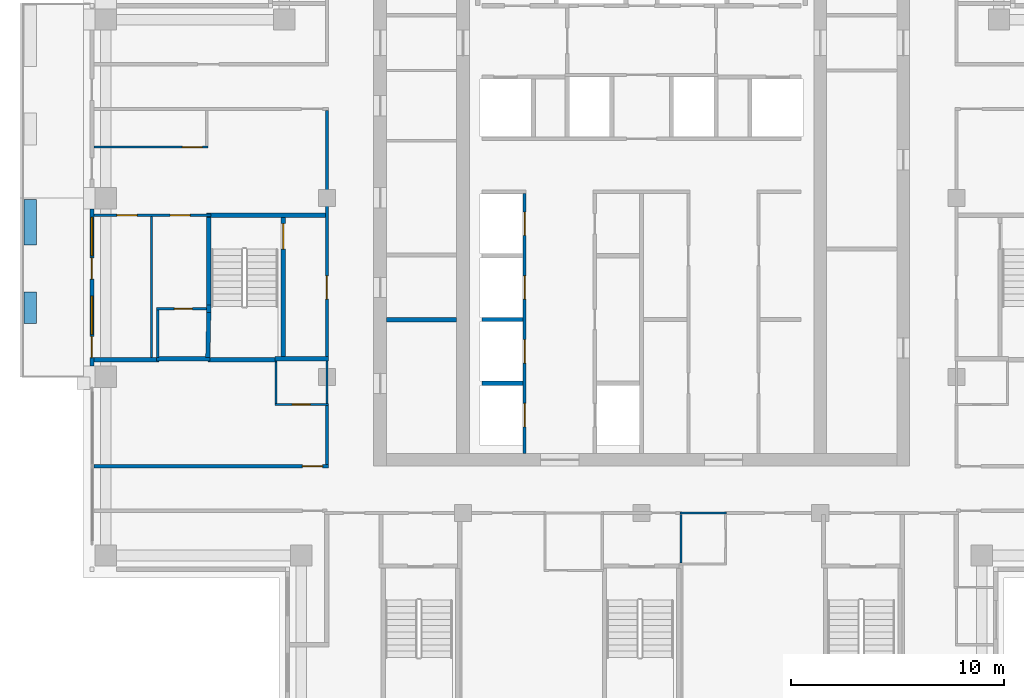
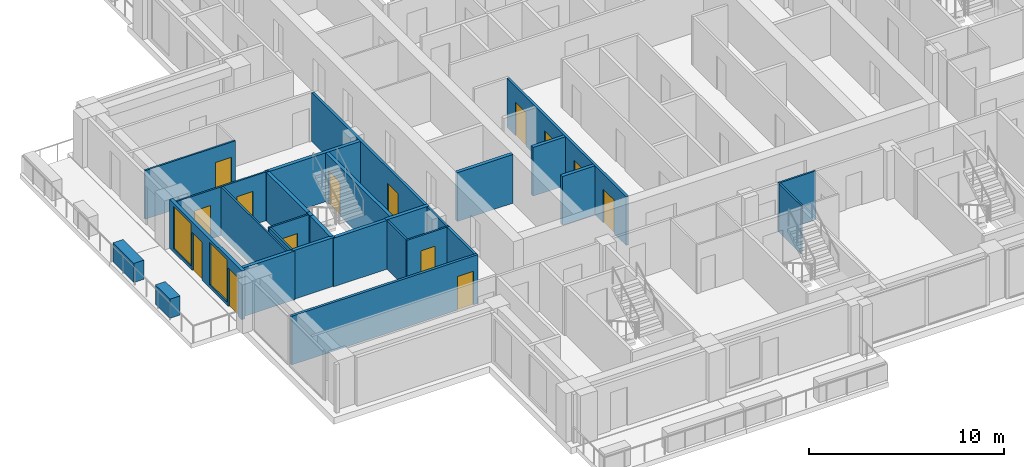
# One storey, part 7 of 17: 29 walls, 14 doors, 2 windows, 16 openings.
"""IFC4 building model written with IfcOpenShell, lengths in metres."""

from ifc_helpers import new_model, si_unit, direction, frame, frame_2d, origin, place, context, subcontext, project, spatial, rectangle, extrude, material, layer, layer_set, type_object, element, fill, save


model = new_model("IFC4")

# Units and contexts
model_context = context("Model", 3, precision=1e-05, world=origin(), true_north=direction((0.0, 1.0)))
body_context = subcontext(model_context, "Body", "Model", "MODEL_VIEW")
ifc_project = project(units=[si_unit("LENGTHUNIT", "METRE"), si_unit("AREAUNIT", "SQUARE_METRE"), si_unit("VOLUMEUNIT", "CUBIC_METRE"), si_unit("PLANEANGLEUNIT", "RADIAN"), si_unit("MASSUNIT", "GRAM", prefix="KILO")], contexts=[model_context])

# Site, building, storey
site_placement = place(None, origin())
site = spatial("IfcSite", under=ifc_project, at=site_placement, CompositionType="ELEMENT")
building_placement = place(site_placement, origin())
building = spatial("IfcBuilding", under=site, at=building_placement, Name="Vermilion Ogive Tower", CompositionType="ELEMENT")
storey_placement = place(building_placement, frame((0.0, 0.0, 196.25)))
storey = spatial("IfcBuildingStorey", under=building, at=storey_placement, Name="L51", CompositionType="ELEMENT", Elevation=196.25)

# Wall
ifc_material_1 = material(Name="Gypsum board partition on steel studs", Category="steel")
ifc_layer_1 = layer(ifc_material_1, 0.10009765625)
ifc_layer_set_1 = layer_set([ifc_layer_1], Name="Partition 100 bath")
wall_type_1 = type_object("IfcWallType", Name="Partition 100 bath", PredefinedType="PARTITIONING", material=ifc_layer_set_1)
wall_1_placement = place(storey_placement, frame((1.800048828125, -10.60009765625, 0.0), z_axis=(0.0, 0.0, 1.0), x_axis=(1.0, 0.0, 0.0)))
element("IfcWall", 1, at=wall_1_placement, inside=storey, type_object=wall_type_1, Name="L51-W-W015", PredefinedType="PARTITIONING", context=body_context, shape_type="SweptSolid", body=[
    extrude(rectangle(XDim=2.199951171875, YDim=0.10009765625, at=frame_2d((1.10009765625, 0.0))), origin(), (0.0, 0.0, 1.0), 3.050048828125),
])

# Wall, opening, door
wall_2_placement = place(storey_placement, frame((-17.25, -5.5, 0.0), z_axis=(0.0, 0.0, 1.0), x_axis=(1.0, 0.0, 0.0)))
wall_2 = element("IfcWall", 2, at=wall_2_placement, inside=storey, type_object=wall_type_1, Name="L51-W-W021", PredefinedType="PARTITIONING", context=body_context, shape_type="SweptSolid", body=[
    extrude(rectangle(XDim=2.52490234375, YDim=0.10009765625, at=frame_2d((1.262451171875, 0.0))), origin(), (0.0, 0.0, 1.0), 3.050048828125),
])
opening_1_placement = place(wall_2_placement, frame((0.824951171875, 0.0, 0.0)))
opening_1 = element("IfcOpeningElement", 3, at=opening_1_placement, cuts=wall_2, Name="Opening D4G3003", PredefinedType="OPENING", context=body_context, shape_type="SweptSolid", body=[
    extrude(rectangle(XDim=0.85009765625, YDim=2.10009765625, at=frame_2d((0.425048828125, 1.050048828125))), frame((0.0, 0.06005859375, 0.0), z_axis=(0.0, -1.0, 0.0), x_axis=(1.0, 0.0, 0.0)), (0.0, 0.0, 1.0), 0.1201171875),
])
ifc_material_2 = material(Name="Timber door leaf", Category="wood")
door_type_1 = type_object("IfcDoorType", Name="Bath door 850 x 2100 FD30", OperationType="SINGLE_SWING_LEFT", PredefinedType="DOOR", material=ifc_material_2)
door_1_placement = place(opening_1_placement, origin())
door_1 = element("IfcDoor", 4, at=door_1_placement, inside=storey, type_object=door_type_1, Name="L51-D-D003", OperationType="SINGLE_SWING_LEFT", OverallHeight=2.10009765625, OverallWidth=0.85009765625, PredefinedType="DOOR", context=body_context, shape_type="SweptSolid", body=[
    extrude(rectangle(XDim=0.85009765625, YDim=2.10009765625, at=frame_2d((0.425048828125, 1.050048828125))), frame((0.0, 0.02490234375, 0.0), z_axis=(0.0, -1.0, 0.0), x_axis=(1.0, 0.0, 0.0)), (0.0, 0.0, 1.0), 0.050048828125),
])
fill(opening_1, door_1)

wall_3_placement = place(storey_placement, frame((-22.800048828125, -1.0, 0.0), z_axis=(0.0, 0.0, 1.0), x_axis=(1.0, 0.0, 0.0)))
wall_3 = element("IfcWall", 5, at=wall_3_placement, inside=storey, type_object=wall_type_1, Name="L51-W-W031", PredefinedType="PARTITIONING", context=body_context, shape_type="SweptSolid", body=[
    extrude(rectangle(XDim=2.35009765625, YDim=0.10009765625, at=frame_2d((1.175048828125, 0.0))), origin(), (0.0, 0.0, 1.0), 3.050048828125),
])
opening_2_placement = place(wall_3_placement, frame((0.824951171875, 0.0, 0.0)))
opening_2 = element("IfcOpeningElement", 6, at=opening_2_placement, cuts=wall_3, Name="Opening D4G3008", PredefinedType="OPENING", context=body_context, shape_type="SweptSolid", body=[
    extrude(rectangle(XDim=0.85009765625, YDim=2.10009765625, at=frame_2d((0.425048828125, 1.050048828125))), frame((0.0, 0.06005859375, 0.0), z_axis=(0.0, -1.0, 0.0), x_axis=(1.0, 0.0, 0.0)), (0.0, 0.0, 1.0), 0.1201171875),
])
door_2_placement = place(opening_2_placement, origin())
door_2 = element("IfcDoor", 7, at=door_2_placement, inside=storey, type_object=door_type_1, Name="L51-D-D008", OperationType="SINGLE_SWING_RIGHT", OverallHeight=2.10009765625, OverallWidth=0.85009765625, PredefinedType="DOOR", context=body_context, shape_type="SweptSolid", body=[
    extrude(rectangle(XDim=0.85009765625, YDim=2.10009765625, at=frame_2d((0.425048828125, 1.050048828125))), frame((0.0, 0.02490234375, 0.0), z_axis=(0.0, -1.0, 0.0), x_axis=(1.0, 0.0, 0.0)), (0.0, 0.0, 1.0), 0.050048828125),
])
fill(opening_2, door_2)

# Walls
wall_4_placement = place(storey_placement, frame((-22.75, -3.300048828125, 0.0), z_axis=(0.0, 0.0, 1.0), x_axis=(0.0, 1.0, 0.0)))
element("IfcWall", 8, at=wall_4_placement, inside=storey, type_object=wall_type_1, Name="L51-W-W047", PredefinedType="PARTITIONING", context=body_context, shape_type="SweptSolid", body=[
    extrude(rectangle(XDim=2.25, YDim=0.10009765625, at=frame_2d((1.125, 0.0))), origin(), (0.0, 0.0, 1.0), 3.050048828125),
])
wall_5_placement = place(storey_placement, frame((-17.199951171875, -5.449951171875, 0.0), z_axis=(0.0, 0.0, 1.0), x_axis=(0.0, 1.0, 0.0)))
element("IfcWall", 9, at=wall_5_placement, inside=storey, type_object=wall_type_1, Name="L51-W-W051", PredefinedType="PARTITIONING", context=body_context, shape_type="SweptSolid", body=[
    extrude(rectangle(XDim=1.949951171875, YDim=0.10009765625, at=frame_2d((0.97509765625, 0.0))), origin(), (0.0, 0.0, 1.0), 3.050048828125),
])
wall_6_placement = place(storey_placement, frame((-14.800048828125, -5.449951171875, 0.0), z_axis=(0.0, 0.0, 1.0), x_axis=(0.0, 1.0, 0.0)))
element("IfcWall", 10, at=wall_6_placement, inside=storey, type_object=wall_type_1, Name="L51-W-W055", PredefinedType="PARTITIONING", context=body_context, shape_type="SweptSolid", body=[
    extrude(rectangle(XDim=2.0, YDim=0.10009765625, at=frame_2d((1.0, 0.0))), origin(), (0.0, 0.0, 1.0), 3.050048828125),
])
wall_7_placement = place(storey_placement, frame((1.85009765625, -12.949951171875, 0.0), z_axis=(0.0, 0.0, 1.0), x_axis=(0.0, 1.0, 0.0)))
element("IfcWall", 11, at=wall_7_placement, inside=storey, type_object=wall_type_1, Name="L51-W-W067", PredefinedType="PARTITIONING", context=body_context, shape_type="SweptSolid", body=[
    extrude(rectangle(XDim=2.27490234375, YDim=0.10009765625, at=frame_2d((1.137451171875, 0.0))), origin(), (0.0, 0.0, 1.0), 3.050048828125),
])

# Wall, openings, doors
ifc_material_3 = material(Name="Gypsum board partition on steel studs", Category="steel")
ifc_layer_2 = layer(ifc_material_3, 0.10009765625)
ifc_layer_set_2 = layer_set([ifc_layer_2], Name="Partition 100 inner")
wall_type_2 = type_object("IfcWallType", Name="Partition 100 inner", PredefinedType="PARTITIONING", material=ifc_layer_set_2)
wall_8_placement = place(storey_placement, frame((-25.75, 3.39990234375, 0.0), z_axis=(0.0, 0.0, 1.0), x_axis=(1.0, 0.0, 0.0)))
wall_8 = element("IfcWall", 12, at=wall_8_placement, inside=storey, type_object=wall_type_2, Name="L51-W-W033", PredefinedType="PARTITIONING", context=body_context, shape_type="SweptSolid", body=[
    extrude(rectangle(XDim=5.5, YDim=0.10009765625, at=frame_2d((2.75, 0.0))), origin(), (0.0, 0.0, 1.0), 3.050048828125),
])
opening_3_placement = place(wall_8_placement, frame((1.074951171875, 0.0, 0.0)))
opening_3 = element("IfcOpeningElement", 13, at=opening_3_placement, cuts=wall_8, Name="Opening D4G3004", PredefinedType="OPENING", context=body_context, shape_type="SweptSolid", body=[
    extrude(rectangle(XDim=0.949951171875, YDim=2.10009765625, at=frame_2d((0.47509765625, 1.050048828125))), frame((0.0, 0.06005859375, 0.0), z_axis=(0.0, -1.0, 0.0), x_axis=(1.0, 0.0, 0.0)), (0.0, 0.0, 1.0), 0.1201171875),
])
opening_4_placement = place(wall_8_placement, frame((3.574951171875, 0.0, 0.0)))
opening_4 = element("IfcOpeningElement", 14, at=opening_4_placement, cuts=wall_8, Name="Opening D4G3007", PredefinedType="OPENING", context=body_context, shape_type="SweptSolid", body=[
    extrude(rectangle(XDim=0.949951171875, YDim=2.10009765625, at=frame_2d((0.47509765625, 1.050048828125))), frame((0.0, 0.06005859375, 0.0), z_axis=(0.0, -1.0, 0.0), x_axis=(1.0, 0.0, 0.0)), (0.0, 0.0, 1.0), 0.1201171875),
])
ifc_material_4 = material(Name="Timber door leaf", Category="wood")
door_type_2 = type_object("IfcDoorType", Name="Inner door 950 x 2100 FD30", OperationType="SINGLE_SWING_LEFT", PredefinedType="DOOR", material=ifc_material_4)
door_3_placement = place(opening_3_placement, origin())
door_3 = element("IfcDoor", 15, at=door_3_placement, inside=storey, type_object=door_type_2, Name="L51-D-D004", OperationType="SINGLE_SWING_RIGHT", OverallHeight=2.10009765625, OverallWidth=0.949951171875, PredefinedType="DOOR", context=body_context, shape_type="SweptSolid", body=[
    extrude(rectangle(XDim=0.949951171875, YDim=2.10009765625, at=frame_2d((0.47509765625, 1.050048828125))), frame((0.0, 0.02490234375, 0.0), z_axis=(0.0, -1.0, 0.0), x_axis=(1.0, 0.0, 0.0)), (0.0, 0.0, 1.0), 0.050048828125),
])
fill(opening_3, door_3)
door_4_placement = place(opening_4_placement, origin())
door_4 = element("IfcDoor", 16, at=door_4_placement, inside=storey, type_object=door_type_2, Name="L51-D-D007", OperationType="SINGLE_SWING_RIGHT", OverallHeight=2.10009765625, OverallWidth=0.949951171875, PredefinedType="DOOR", context=body_context, shape_type="SweptSolid", body=[
    extrude(rectangle(XDim=0.949951171875, YDim=2.10009765625, at=frame_2d((0.47509765625, 1.050048828125))), frame((0.0, 0.02490234375, 0.0), z_axis=(0.0, -1.0, 0.0), x_axis=(1.0, 0.0, 0.0)), (0.0, 0.0, 1.0), 0.050048828125),
])
fill(opening_4, door_4)

# Wall, opening, door
wall_9_placement = place(storey_placement, frame((-25.75, 6.60009765625, 0.0), z_axis=(0.0, 0.0, 1.0), x_axis=(1.0, 0.0, 0.0)))
wall_9 = element("IfcWall", 17, at=wall_9_placement, inside=storey, type_object=wall_type_2, Name="L51-W-W037", PredefinedType="PARTITIONING", context=body_context, shape_type="SweptSolid", body=[
    extrude(rectangle(XDim=5.35009765625, YDim=0.10009765625, at=frame_2d((2.675048828125, 0.0))), origin(), (0.0, 0.0, 1.0), 3.050048828125),
])
opening_5_placement = place(wall_9_placement, frame((4.14990234375, 0.0, 0.0)))
opening_5 = element("IfcOpeningElement", 18, at=opening_5_placement, cuts=wall_9, Name="Opening D4G3005", PredefinedType="OPENING", context=body_context, shape_type="SweptSolid", body=[
    extrude(rectangle(XDim=0.949951171875, YDim=2.10009765625, at=frame_2d((0.47509765625, 1.050048828125))), frame((0.0, 0.06005859375, 0.0), z_axis=(0.0, -1.0, 0.0), x_axis=(1.0, 0.0, 0.0)), (0.0, 0.0, 1.0), 0.1201171875),
])
door_5_placement = place(opening_5_placement, origin())
door_5 = element("IfcDoor", 19, at=door_5_placement, inside=storey, type_object=door_type_2, Name="L51-D-D005", OperationType="SINGLE_SWING_LEFT", OverallHeight=2.10009765625, OverallWidth=0.949951171875, PredefinedType="DOOR", context=body_context, shape_type="SweptSolid", body=[
    extrude(rectangle(XDim=0.949951171875, YDim=2.10009765625, at=frame_2d((0.47509765625, 1.050048828125))), frame((0.0, 0.02490234375, 0.0), z_axis=(0.0, -1.0, 0.0), x_axis=(1.0, 0.0, 0.0)), (0.0, 0.0, 1.0), 0.050048828125),
])
fill(opening_5, door_5)

# Wall
wall_10_placement = place(storey_placement, frame((-23.050048828125, -3.300048828125, 0.0), z_axis=(0.0, 0.0, 1.0), x_axis=(0.0, 1.0, 0.0)))
element("IfcWall", 20, at=wall_10_placement, inside=storey, type_object=wall_type_2, Name="L51-W-W046", PredefinedType="PARTITIONING", context=body_context, shape_type="SweptSolid", body=[
    extrude(rectangle(XDim=6.650146484375, YDim=0.10009765625, at=frame_2d((3.3251953125, 0.0))), origin(), (0.0, 0.0, 1.0), 3.050048828125),
])

# Wall, opening, door
ifc_material_5 = material(Name="Gypsum board partition on steel studs", Category="steel")
ifc_layer_3 = layer(ifc_material_5, 0.14990234375)
ifc_layer_set_3 = layer_set([ifc_layer_3], Name="Partition 150 corridor")
wall_type_3 = type_object("IfcWallType", Name="Partition 150 corridor", PredefinedType="PARTITIONING", material=ifc_layer_set_3)
wall_11_placement = place(storey_placement, frame((-25.75, -8.39990234375, 0.0), z_axis=(0.0, 0.0, 1.0), x_axis=(1.0, 0.0, 0.0)))
wall_11 = element("IfcWall", 21, at=wall_11_placement, inside=storey, type_object=wall_type_3, Name="L51-W-W019", PredefinedType="PARTITIONING", context=body_context, shape_type="SweptSolid", body=[
    extrude(rectangle(XDim=11.02490234375, YDim=0.14990234375, at=frame_2d((5.512451171875, 0.0))), origin(), (0.0, 0.0, 1.0), 3.050048828125),
])
opening_6_placement = place(wall_11_placement, frame((9.800048828125, 0.0, 0.0)))
opening_6 = element("IfcOpeningElement", 22, at=opening_6_placement, cuts=wall_11, Name="Opening D4G3002", PredefinedType="OPENING", context=body_context, shape_type="SweptSolid", body=[
    extrude(rectangle(XDim=0.949951171875, YDim=2.10009765625, at=frame_2d((0.47509765625, 1.050048828125))), frame((0.0, 0.0849609375, 0.0), z_axis=(0.0, -1.0, 0.0), x_axis=(1.0, 0.0, 0.0)), (0.0, 0.0, 1.0), 0.169921875),
])
ifc_material_6 = material(Name="Timber door leaf", Category="wood")
door_type_3 = type_object("IfcDoorType", Name="Unit door 950 x 2100 FD30S", OperationType="SINGLE_SWING_LEFT", PredefinedType="DOOR", material=ifc_material_6)
door_6_placement = place(opening_6_placement, origin())
door_6 = element("IfcDoor", 23, at=door_6_placement, inside=storey, type_object=door_type_3, Name="L51-D-D002", OperationType="SINGLE_SWING_LEFT", OverallHeight=2.10009765625, OverallWidth=0.949951171875, PredefinedType="DOOR", context=body_context, shape_type="SweptSolid", body=[
    extrude(rectangle(XDim=0.949951171875, YDim=2.10009765625, at=frame_2d((0.47509765625, 1.050048828125))), frame((0.0, 0.02490234375, 0.0), z_axis=(0.0, -1.0, 0.0), x_axis=(1.0, 0.0, 0.0)), (0.0, 0.0, 1.0), 0.050048828125),
])
fill(opening_6, door_6)

# Wall
wall_12_placement = place(storey_placement, frame((-14.800048828125, -8.324951171875, 0.0), z_axis=(0.0, 0.0, 1.0), x_axis=(0.0, 1.0, 0.0)))
element("IfcWall", 24, at=wall_12_placement, inside=storey, type_object=wall_type_3, Name="L51-W-W054", PredefinedType="PARTITIONING", context=body_context, shape_type="SweptSolid", body=[
    extrude(rectangle(XDim=2.77490234375, YDim=0.14990234375, at=frame_2d((1.387451171875, 0.0))), origin(), (0.0, 0.0, 1.0), 3.050048828125),
])

# Wall, opening, door
wall_13_placement = place(storey_placement, frame((-14.800048828125, -3.35009765625, 0.0), z_axis=(0.0, 0.0, 1.0), x_axis=(0.0, 1.0, 0.0)))
wall_13 = element("IfcWall", 25, at=wall_13_placement, inside=storey, type_object=wall_type_3, Name="L51-W-W056", PredefinedType="PARTITIONING", context=body_context, shape_type="SweptSolid", body=[
    extrude(rectangle(XDim=11.675048828125, YDim=0.14990234375, at=frame_2d((5.83740234375, 0.0))), origin(), (0.0, 0.0, 1.0), 3.050048828125),
])
opening_7_placement = place(wall_13_placement, frame((2.800048828125, 0.0, 0.0)))
opening_7 = element("IfcOpeningElement", 26, at=opening_7_placement, cuts=wall_13, Name="Opening D4G3033", PredefinedType="OPENING", context=body_context, shape_type="SweptSolid", body=[
    extrude(rectangle(XDim=1.10009765625, YDim=2.10009765625, at=frame_2d((0.550048828125, 1.050048828125))), frame((0.0, 0.0849609375, 0.0), z_axis=(0.0, -1.0, 0.0), x_axis=(1.0, 0.0, 0.0)), (0.0, 0.0, 1.0), 0.169921875),
])
ifc_material_7 = material(Name="Timber door leaf", Category="wood")
door_type_4 = type_object("IfcDoorType", Name="Stair door 1100 x 2100 FD60S", OperationType="SINGLE_SWING_LEFT", PredefinedType="DOOR", material=ifc_material_7)
door_7_placement = place(opening_7_placement, origin())
door_7 = element("IfcDoor", 27, at=door_7_placement, inside=storey, type_object=door_type_4, Name="L51-D-D033", OperationType="SINGLE_SWING_RIGHT", OverallHeight=2.10009765625, OverallWidth=1.10009765625, PredefinedType="DOOR", context=body_context, shape_type="SweptSolid", body=[
    extrude(rectangle(XDim=1.10009765625, YDim=2.10009765625, at=frame_2d((0.550048828125, 1.050048828125))), frame((0.0, 0.02490234375, 0.0), z_axis=(0.0, -1.0, 0.0), x_axis=(1.0, 0.0, 0.0)), (0.0, 0.0, 1.0), 0.050048828125),
])
fill(opening_7, door_7)

# Wall, openings, doors
wall_14_placement = place(storey_placement, frame((-5.5, -7.799072265625, 0.0), z_axis=(0.0, 0.0, 1.0), x_axis=(0.0, 1.0, 0.0)))
wall_14 = element("IfcWall", 28, at=wall_14_placement, inside=storey, type_object=wall_type_3, Name="L51-CK-W-W020", PredefinedType="PARTITIONING", context=body_context, shape_type="SweptSolid", body=[
    extrude(rectangle(XDim=12.22412109375, YDim=0.14990234375, at=frame_2d((6.112060546875, 0.0))), origin(), (0.0, 0.0, 1.0), 3.050048828125),
])
opening_8_placement = place(wall_14_placement, frame((1.2490234375, 0.0, 0.0)))
opening_8 = element("IfcOpeningElement", 29, at=opening_8_placement, cuts=wall_14, Name="Opening DAA458", PredefinedType="OPENING", context=body_context, shape_type="SweptSolid", body=[
    extrude(rectangle(XDim=1.10009765625, YDim=2.10009765625, at=frame_2d((0.550048828125, 1.050048828125))), frame((0.0, 0.0849609375, 0.0), z_axis=(0.0, -1.0, 0.0), x_axis=(1.0, 0.0, 0.0)), (0.0, 0.0, 1.0), 0.169921875),
])
opening_9_placement = place(wall_14_placement, frame((4.2490234375, 0.0, 0.0)))
opening_9 = element("IfcOpeningElement", 30, at=opening_9_placement, cuts=wall_14, Name="Opening DAA459", PredefinedType="OPENING", context=body_context, shape_type="SweptSolid", body=[
    extrude(rectangle(XDim=1.10009765625, YDim=2.10009765625, at=frame_2d((0.550048828125, 1.050048828125))), frame((0.0, 0.0849609375, 0.0), z_axis=(0.0, -1.0, 0.0), x_axis=(1.0, 0.0, 0.0)), (0.0, 0.0, 1.0), 0.169921875),
])
opening_10_placement = place(wall_14_placement, frame((7.2490234375, 0.0, 0.0)))
opening_10 = element("IfcOpeningElement", 31, at=opening_10_placement, cuts=wall_14, Name="Opening DAA460", PredefinedType="OPENING", context=body_context, shape_type="SweptSolid", body=[
    extrude(rectangle(XDim=1.10009765625, YDim=2.10009765625, at=frame_2d((0.550048828125, 1.050048828125))), frame((0.0, 0.0849609375, 0.0), z_axis=(0.0, -1.0, 0.0), x_axis=(1.0, 0.0, 0.0)), (0.0, 0.0, 1.0), 0.169921875),
])
opening_11_placement = place(wall_14_placement, frame((10.2490234375, 0.0, 0.0)))
opening_11 = element("IfcOpeningElement", 32, at=opening_11_placement, cuts=wall_14, Name="Opening DAA461", PredefinedType="OPENING", context=body_context, shape_type="SweptSolid", body=[
    extrude(rectangle(XDim=1.10009765625, YDim=2.10009765625, at=frame_2d((0.550048828125, 1.050048828125))), frame((0.0, 0.0849609375, 0.0), z_axis=(0.0, -1.0, 0.0), x_axis=(1.0, 0.0, 0.0)), (0.0, 0.0, 1.0), 0.169921875),
])
ifc_material_8 = material(Name="Stainless steel", Category="steel")
door_type_5 = type_object("IfcDoorType", Name="Lift landing door 1100 x 2100", OperationType="SLIDING_TO_LEFT", PredefinedType="DOOR", material=ifc_material_8)
door_8_placement = place(opening_8_placement, origin())
door_8 = element("IfcDoor", 33, at=door_8_placement, inside=storey, type_object=door_type_5, Name="L51-CK-D-D001", OperationType="SLIDING_TO_LEFT", OverallHeight=2.10009765625, OverallWidth=1.10009765625, PredefinedType="DOOR", context=body_context, shape_type="SweptSolid", body=[
    extrude(rectangle(XDim=1.10009765625, YDim=2.10009765625, at=frame_2d((0.550048828125, 1.050048828125))), frame((0.0, 0.02490234375, 0.0), z_axis=(0.0, -1.0, 0.0), x_axis=(1.0, 0.0, 0.0)), (0.0, 0.0, 1.0), 0.050048828125),
])
fill(opening_8, door_8)
door_9_placement = place(opening_9_placement, origin())
door_9 = element("IfcDoor", 34, at=door_9_placement, inside=storey, type_object=door_type_5, Name="L51-CK-D-D002", OperationType="SLIDING_TO_LEFT", OverallHeight=2.10009765625, OverallWidth=1.10009765625, PredefinedType="DOOR", context=body_context, shape_type="SweptSolid", body=[
    extrude(rectangle(XDim=1.10009765625, YDim=2.10009765625, at=frame_2d((0.550048828125, 1.050048828125))), frame((0.0, 0.02490234375, 0.0), z_axis=(0.0, -1.0, 0.0), x_axis=(1.0, 0.0, 0.0)), (0.0, 0.0, 1.0), 0.050048828125),
])
fill(opening_9, door_9)
door_10_placement = place(opening_10_placement, origin())
door_10 = element("IfcDoor", 35, at=door_10_placement, inside=storey, type_object=door_type_5, Name="L51-CK-D-D003", OperationType="SLIDING_TO_LEFT", OverallHeight=2.10009765625, OverallWidth=1.10009765625, PredefinedType="DOOR", context=body_context, shape_type="SweptSolid", body=[
    extrude(rectangle(XDim=1.10009765625, YDim=2.10009765625, at=frame_2d((0.550048828125, 1.050048828125))), frame((0.0, 0.02490234375, 0.0), z_axis=(0.0, -1.0, 0.0), x_axis=(1.0, 0.0, 0.0)), (0.0, 0.0, 1.0), 0.050048828125),
])
fill(opening_10, door_10)
door_11_placement = place(opening_11_placement, origin())
door_11 = element("IfcDoor", 36, at=door_11_placement, inside=storey, type_object=door_type_5, Name="L51-CK-D-D004", OperationType="SLIDING_TO_LEFT", OverallHeight=2.10009765625, OverallWidth=1.10009765625, PredefinedType="DOOR", context=body_context, shape_type="SweptSolid", body=[
    extrude(rectangle(XDim=1.10009765625, YDim=2.10009765625, at=frame_2d((0.550048828125, 1.050048828125))), frame((0.0, 0.02490234375, 0.0), z_axis=(0.0, -1.0, 0.0), x_axis=(1.0, 0.0, 0.0)), (0.0, 0.0, 1.0), 0.050048828125),
])
fill(opening_11, door_11)

# Walls
ifc_material_9 = material(Name="Gypsum board partition on steel studs", Category="steel")
ifc_layer_4 = layer(ifc_material_9, 0.199951171875)
ifc_layer_set_4 = layer_set([ifc_layer_4], Name="Partition 200 party")
wall_type_4 = type_object("IfcWallType", Name="Partition 200 party", PredefinedType="PARTITIONING", material=ifc_layer_set_4)
wall_15_placement = place(storey_placement, frame((-25.75, -3.39990234375, 0.0), z_axis=(0.0, 0.0, 1.0), x_axis=(1.0, 0.0, 0.0)))
element("IfcWall", 37, at=wall_15_placement, inside=storey, type_object=wall_type_4, Name="L51-W-W023", PredefinedType="PARTITIONING", context=body_context, shape_type="SweptSolid", body=[
    extrude(rectangle(XDim=3.050048828125, YDim=0.199951171875, at=frame_2d((1.52490234375, 0.0))), origin(), (0.0, 0.0, 1.0), 3.050048828125),
])
for number, where, z_axis, x_axis, name in (
    (38, (-7.5, -4.5, 0.0), (0.0, 0.0, 1.0), (1.0, 0.0, 0.0), "L51-CK-W-W001"),
    (39, (-7.5, -1.5, 0.0), (0.0, 0.0, 1.0), (1.0, 0.0, 0.0), "L51-CK-W-W003"),
):
    element("IfcWall", number, at=place(storey_placement, frame(where, z_axis=z_axis, x_axis=x_axis)), inside=storey, type_object=wall_type_4, Name=name, PredefinedType="PARTITIONING", context=body_context, shape_type="SweptSolid", body=[
        extrude(rectangle(XDim=1.925048828125, YDim=0.199951171875, at=frame_2d((0.96240234375, 0.0))), origin(), (0.0, 0.0, 1.0), 3.050048828125),
    ])
wall_16_placement = place(storey_placement, frame((-11.9990234375, -1.51904296875, 0.0), z_axis=(0.0, 0.0, 1.0), x_axis=(1.0, 0.0, 0.0)))
element("IfcWall", 40, at=wall_16_placement, inside=storey, type_object=wall_type_4, Name="L51-CKW-W-W001", PredefinedType="PARTITIONING", context=body_context, shape_type="SweptSolid", body=[
    extrude(rectangle(XDim=3.298095703125, YDim=0.199951171875, at=frame_2d((1.64892578125, 0.0))), origin(), (0.0, 0.0, 1.0), 3.050048828125),
])
ifc_material_10 = material(Name="Concrete B60", Category="concrete")
ifc_layer_5 = layer(ifc_material_10, 0.199951171875)
ifc_layer_set_5 = layer_set([ifc_layer_5], Name="Stair shaft wall 200 Concrete B60")
wall_type_5 = type_object("IfcWallType", Name="Stair shaft wall 200 Concrete B60", PredefinedType="SOLIDWALL", material=ifc_layer_set_5)
wall_17_placement = place(storey_placement, frame((-22.800048828125, -3.349853515625, 0.0), z_axis=(0.0, 0.0, 1.0), x_axis=(1.0, 0.0, 0.0)))
element("IfcWall", 41, at=wall_17_placement, inside=storey, type_object=wall_type_5, Name="L51-W-W024", PredefinedType="SOLIDWALL", context=body_context, shape_type="SweptSolid", body=[
    extrude(rectangle(XDim=2.5, YDim=0.199951171875, at=frame_2d((1.25, 0.0))), origin(), (0.0, 0.0, 1.0), 3.050048828125),
])
wall_18_placement = place(storey_placement, frame((-20.39990234375, -3.39990234375, 0.0), z_axis=(0.0, 0.0, 1.0), x_axis=(1.0, 0.0, 0.0)))
element("IfcWall", 42, at=wall_18_placement, inside=storey, type_object=wall_type_5, Name="L51-W-W025", PredefinedType="SOLIDWALL", context=body_context, shape_type="SweptSolid", body=[
    extrude(rectangle(XDim=3.25, YDim=0.199951171875, at=frame_2d((1.625, 0.0))), origin(), (0.0, 0.0, 1.0), 3.050048828125),
])
wall_19_placement = place(storey_placement, frame((-17.25, -3.349853515625, 0.0), z_axis=(0.0, 0.0, 1.0), x_axis=(1.0, 0.0, 0.0)))
element("IfcWall", 43, at=wall_19_placement, inside=storey, type_object=wall_type_5, Name="L51-W-W026", PredefinedType="SOLIDWALL", context=body_context, shape_type="SweptSolid", body=[
    extrude(rectangle(XDim=2.52490234375, YDim=0.199951171875, at=frame_2d((1.262451171875, 0.0))), origin(), (0.0, 0.0, 1.0), 3.050048828125),
])
wall_20_placement = place(storey_placement, frame((-20.449951171875, 3.39990234375, 0.0), z_axis=(0.0, 0.0, 1.0), x_axis=(1.0, 0.0, 0.0)))
element("IfcWall", 44, at=wall_20_placement, inside=storey, type_object=wall_type_5, Name="L51-W-W034", PredefinedType="SOLIDWALL", context=body_context, shape_type="SweptSolid", body=[
    extrude(rectangle(XDim=5.574951171875, YDim=0.199951171875, at=frame_2d((2.78759765625, 0.0))), origin(), (0.0, 0.0, 1.0), 3.050048828125),
])
wall_21_placement = place(storey_placement, frame((-20.400146484375, -3.300048828125, 0.0), z_axis=(0.0, 0.0, 1.0), x_axis=(0.022687568549, 0.99974260399, 0.0)))
element("IfcWall", 45, at=wall_21_placement, inside=storey, type_object=wall_type_5, Name="L51-W-W049", PredefinedType="SOLIDWALL", context=body_context, shape_type="SweptSolid", body=[
    extrude(rectangle(XDim=2.130615234375, YDim=0.199951171875, at=frame_2d((1.0654296875, 0.0))), origin(), (0.0, 0.0, 1.0), 3.050048828125),
])
wall_22_placement = place(storey_placement, frame((-20.35009765625, -0.830078125, 0.0), z_axis=(0.0, 0.0, 1.0), x_axis=(0.0, 1.0, 0.0)))
element("IfcWall", 46, at=wall_22_placement, inside=storey, type_object=wall_type_5, Name="L51-W-W050", PredefinedType="SOLIDWALL", context=body_context, shape_type="SweptSolid", body=[
    extrude(rectangle(XDim=4.130126953125, YDim=0.199951171875, at=frame_2d((2.06494140625, 0.0))), origin(), (0.0, 0.0, 1.0), 3.050048828125),
])

# Wall, opening, door
wall_23_placement = place(storey_placement, frame((-16.85009765625, -3.35009765625, 0.0), z_axis=(0.0, 0.0, 1.0), x_axis=(0.0, 1.0, 0.0)))
wall_23 = element("IfcWall", 47, at=wall_23_placement, inside=storey, type_object=wall_type_5, Name="L51-W-W052", PredefinedType="SOLIDWALL", context=body_context, shape_type="SweptSolid", body=[
    extrude(rectangle(XDim=6.650146484375, YDim=0.199951171875, at=frame_2d((3.3251953125, 0.0))), origin(), (0.0, 0.0, 1.0), 3.050048828125),
])
opening_12_placement = place(wall_23_placement, frame((5.14990234375, 0.0, 0.0)))
opening_12 = element("IfcOpeningElement", 48, at=opening_12_placement, cuts=wall_23, Name="Opening D4G3034", PredefinedType="OPENING", context=body_context, shape_type="SweptSolid", body=[
    extrude(rectangle(XDim=1.199951171875, YDim=2.10009765625, at=frame_2d((0.60009765625, 1.050048828125))), frame((0.0, 0.10986328125, 0.0), z_axis=(0.0, -1.0, 0.0), x_axis=(1.0, 0.0, 0.0)), (0.0, 0.0, 1.0), 0.219970703125),
])
ifc_material_11 = material(Name="Timber door leaf", Category="wood")
door_type_6 = type_object("IfcDoorType", Name="Stair door 1200 x 2100 FD60S", OperationType="SINGLE_SWING_LEFT", PredefinedType="DOOR", material=ifc_material_11)
door_12_placement = place(opening_12_placement, origin())
door_12 = element("IfcDoor", 49, at=door_12_placement, inside=storey, type_object=door_type_6, Name="L51-D-D034", OperationType="SINGLE_SWING_RIGHT", OverallHeight=2.10009765625, OverallWidth=1.199951171875, PredefinedType="DOOR", context=body_context, shape_type="SweptSolid", body=[
    extrude(rectangle(XDim=1.199951171875, YDim=2.10009765625, at=frame_2d((0.60009765625, 1.050048828125))), frame((0.0, 0.02490234375, 0.0), z_axis=(0.0, -1.0, 0.0), x_axis=(1.0, 0.0, 0.0)), (0.0, 0.0, 1.0), 0.050048828125),
])
fill(opening_12, door_12)

# Walls
wall_24_placement = place(storey_placement, frame((-20.35009765625, -1.169921875, 0.0), z_axis=(0.0, 0.0, 1.0), x_axis=(0.0, 1.0, 0.0)))
element("IfcWall", 50, at=wall_24_placement, inside=storey, type_object=wall_type_5, Name="L51-SW-ST9-W1", PredefinedType="SOLIDWALL", context=body_context, shape_type="SweptSolid", body=[
    extrude(rectangle(XDim=0.33984375, YDim=0.199951171875, at=frame_2d((0.169921875, 0.0))), origin(), (0.0, 0.0, 1.0), 3.050048828125),
])
ifc_material_12 = material(Name="Concrete B40", Category="concrete")
ifc_layer_6 = layer(ifc_material_12, 0.60009765625)
ifc_layer_set_6 = layer_set([ifc_layer_6], Name="Structural planter")
wall_type_6 = type_object("IfcWallType", Name="Structural planter", PredefinedType="USERDEFINED", material=ifc_layer_set_6)
wall_25_placement = place(storey_placement, frame((-28.75, 4.139892578125, -0.0400390625), z_axis=(0.0, 0.0, 1.0), x_axis=(0.0, -1.0, 0.0)))
element("IfcWall", 51, at=wall_25_placement, inside=storey, type_object=wall_type_6, Name="Planter W02A1", ObjectType="PLANTER", PredefinedType="USERDEFINED", context=body_context, shape_type="SweptSolid", body=[
    extrude(rectangle(XDim=2.139892578125, YDim=0.60009765625, at=frame_2d((1.06982421875, 0.0))), origin(), (0.0, 0.0, 1.0), 1.199951171875),
])
wall_26_placement = place(storey_placement, frame((-28.75, -0.199951171875, -0.0400390625), z_axis=(0.0, 0.0, 1.0), x_axis=(0.0, -1.0, 0.0)))
element("IfcWall", 52, at=wall_26_placement, inside=storey, type_object=wall_type_6, Name="Planter W02A2", ObjectType="PLANTER", PredefinedType="USERDEFINED", context=body_context, shape_type="SweptSolid", body=[
    extrude(rectangle(XDim=1.5, YDim=0.60009765625, at=frame_2d((0.75, 0.0))), origin(), (0.0, 0.0, 1.0), 1.199951171875),
])

# Wall, openings, doors, windows
ifc_material_13 = material(Name="Aluminium window wall framing", Category="aluminium")
ifc_layer_7 = layer(ifc_material_13, 0.199951171875)
ifc_layer_set_7 = layer_set([ifc_layer_7], Name="Window wall")
wall_type_7 = type_object("IfcWallType", Name="Window wall", PredefinedType="STANDARD", material=ifc_layer_set_7)
wall_27_placement = place(storey_placement, frame((-25.85009765625, 3.699951171875, 0.0), z_axis=(0.0, 0.0, 1.0), x_axis=(0.0, -1.0, 0.0)))
wall_27 = element("IfcWall", 53, at=wall_27_placement, inside=storey, type_object=wall_type_7, Name="Window wall W2", PredefinedType="STANDARD", context=body_context, shape_type="SweptSolid", body=[
    extrude(rectangle(XDim=7.39990234375, YDim=0.199951171875, at=frame_2d((3.699951171875, 0.0))), origin(), (0.0, 0.0, 1.0), 3.050048828125),
])
opening_13_placement = place(wall_27_placement, frame((4.10009765625, 0.0, 0.199951171875)))
opening_13 = element("IfcOpeningElement", 54, at=opening_13_placement, cuts=wall_27, Name="Opening W1-W99", PredefinedType="OPENING", context=body_context, shape_type="SweptSolid", body=[
    extrude(rectangle(XDim=1.800048828125, YDim=2.64990234375, at=frame_2d((0.89990234375, 1.324951171875))), frame((0.0, 0.10986328125, 0.0), z_axis=(0.0, -1.0, 0.0), x_axis=(1.0, 0.0, 0.0)), (0.0, 0.0, 1.0), 0.219970703125),
])
opening_14_placement = place(wall_27_placement, frame((6.0, 0.0, 0.0)))
opening_14 = element("IfcOpeningElement", 55, at=opening_14_placement, cuts=wall_27, Name="Opening D1-W99", PredefinedType="OPENING", context=body_context, shape_type="SweptSolid", body=[
    extrude(rectangle(XDim=1.0, YDim=2.39990234375, at=frame_2d((0.5, 1.199951171875))), frame((0.0, 0.10986328125, 0.0), z_axis=(0.0, -1.0, 0.0), x_axis=(1.0, 0.0, 0.0)), (0.0, 0.0, 1.0), 0.219970703125),
])
opening_15_placement = place(wall_27_placement, frame((0.39990234375, 0.0, 0.199951171875)))
opening_15 = element("IfcOpeningElement", 56, at=opening_15_placement, cuts=wall_27, Name="Opening W1-W00", PredefinedType="OPENING", context=body_context, shape_type="SweptSolid", body=[
    extrude(rectangle(XDim=1.800048828125, YDim=2.64990234375, at=frame_2d((0.89990234375, 1.324951171875))), frame((0.0, 0.10986328125, 0.0), z_axis=(0.0, -1.0, 0.0), x_axis=(1.0, 0.0, 0.0)), (0.0, 0.0, 1.0), 0.219970703125),
])
opening_16_placement = place(wall_27_placement, frame((2.300048828125, 0.0, 0.0)))
opening_16 = element("IfcOpeningElement", 57, at=opening_16_placement, cuts=wall_27, Name="Opening D1-W00", PredefinedType="OPENING", context=body_context, shape_type="SweptSolid", body=[
    extrude(rectangle(XDim=1.0, YDim=2.39990234375, at=frame_2d((0.5, 1.199951171875))), frame((0.0, 0.10986328125, 0.0), z_axis=(0.0, -1.0, 0.0), x_axis=(1.0, 0.0, 0.0)), (0.0, 0.0, 1.0), 0.219970703125),
])
ifc_material_14 = material(Name="Aluminium framed glazed door", Category="aluminium")
door_type_7 = type_object("IfcDoorType", Name="Balcony door D1", OperationType="SINGLE_SWING_LEFT", PredefinedType="DOOR", material=ifc_material_14)
door_13_placement = place(opening_14_placement, origin())
door_13 = element("IfcDoor", 58, at=door_13_placement, inside=storey, type_object=door_type_7, Name="Balcony door W99", OperationType="SINGLE_SWING_LEFT", OverallHeight=2.39990234375, OverallWidth=1.0, PredefinedType="DOOR", context=body_context, shape_type="SweptSolid", body=[
    extrude(rectangle(XDim=1.0, YDim=2.39990234375, at=frame_2d((0.5, 1.199951171875))), frame((0.0, 0.02490234375, 0.0), z_axis=(0.0, -1.0, 0.0), x_axis=(1.0, 0.0, 0.0)), (0.0, 0.0, 1.0), 0.050048828125),
])
fill(opening_14, door_13)
door_14_placement = place(opening_16_placement, origin())
door_14 = element("IfcDoor", 59, at=door_14_placement, inside=storey, type_object=door_type_7, Name="Balcony door W00", OperationType="SINGLE_SWING_LEFT", OverallHeight=2.39990234375, OverallWidth=1.0, PredefinedType="DOOR", context=body_context, shape_type="SweptSolid", body=[
    extrude(rectangle(XDim=1.0, YDim=2.39990234375, at=frame_2d((0.5, 1.199951171875))), frame((0.0, 0.02490234375, 0.0), z_axis=(0.0, -1.0, 0.0), x_axis=(1.0, 0.0, 0.0)), (0.0, 0.0, 1.0), 0.050048828125),
])
fill(opening_16, door_14)
ifc_material_15 = material(Name="Aluminium framed double glazing", Category="aluminium")
window_type = type_object("IfcWindowType", Name="Guest window W1", PartitioningType="SINGLE_PANEL", PredefinedType="WINDOW", material=ifc_material_15)
window_1_placement = place(opening_13_placement, origin())
window_1 = element("IfcWindow", 60, at=window_1_placement, inside=storey, type_object=window_type, Name="Window W99", OverallHeight=2.64990234375, OverallWidth=1.800048828125, PartitioningType="SINGLE_PANEL", PredefinedType="WINDOW", context=body_context, shape_type="SweptSolid", body=[
    extrude(rectangle(XDim=1.800048828125, YDim=2.64990234375, at=frame_2d((0.89990234375, 1.324951171875))), frame((0.0, 0.030029296875, 0.0), z_axis=(0.0, -1.0, 0.0), x_axis=(1.0, 0.0, 0.0)), (0.0, 0.0, 1.0), 0.06005859375),
])
fill(opening_13, window_1)
window_2_placement = place(opening_15_placement, origin())
window_2 = element("IfcWindow", 61, at=window_2_placement, inside=storey, type_object=window_type, Name="Window W00", OverallHeight=2.64990234375, OverallWidth=1.800048828125, PartitioningType="SINGLE_PANEL", PredefinedType="WINDOW", context=body_context, shape_type="SweptSolid", body=[
    extrude(rectangle(XDim=1.800048828125, YDim=2.64990234375, at=frame_2d((0.89990234375, 1.324951171875))), frame((0.0, 0.030029296875, 0.0), z_axis=(0.0, -1.0, 0.0), x_axis=(1.0, 0.0, 0.0)), (0.0, 0.0, 1.0), 0.06005859375),
])
fill(opening_15, window_2)

save(model, "model.ifc")
